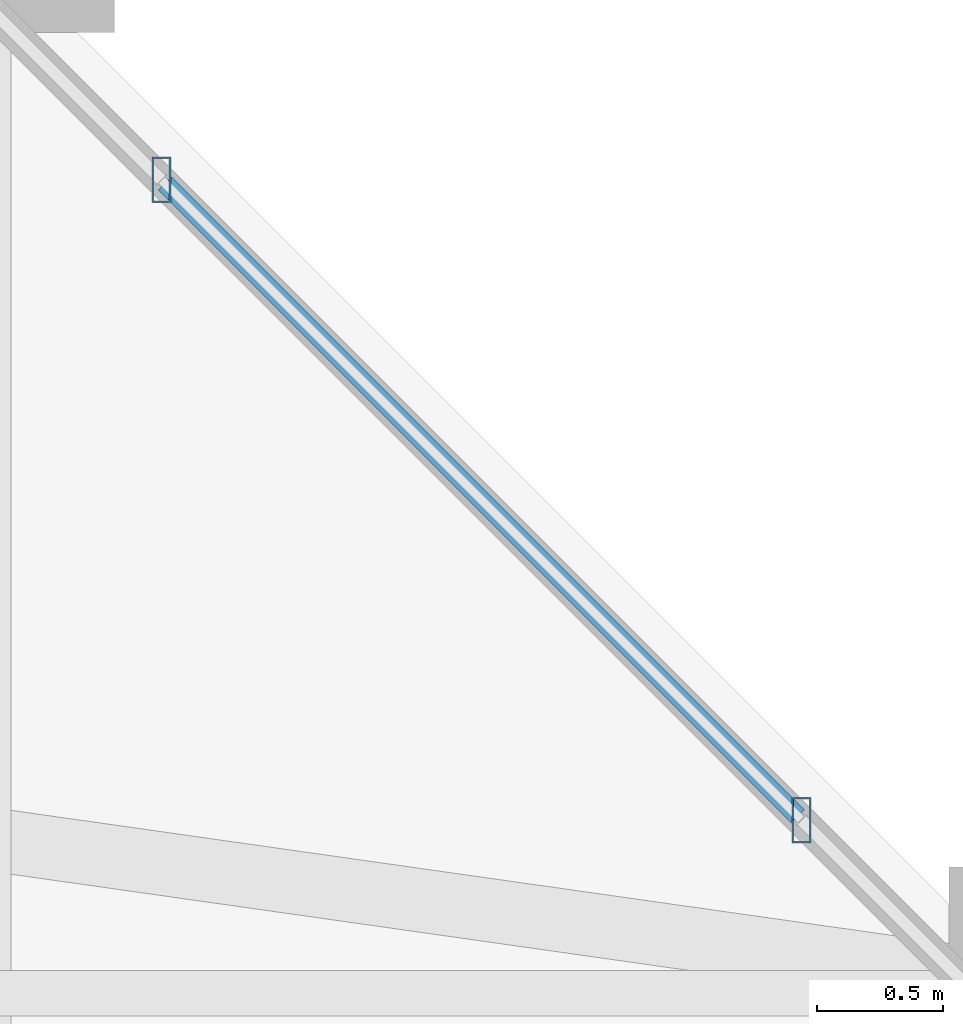
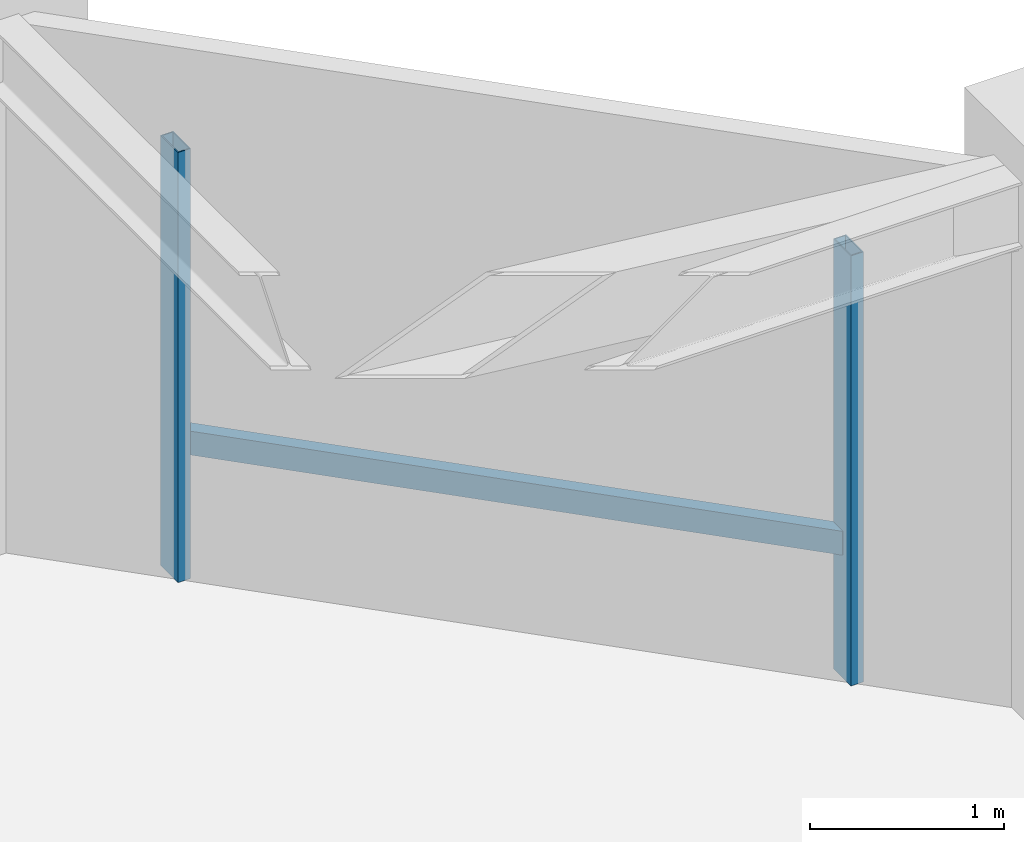
# One storey, part 9 of 31: 3 members, 1 element without a shape of its own.
"""IFC4 building model written with IfcOpenShell, lengths in metres."""

from ifc_helpers import new_model, si_unit, direction, frame, origin, origin_2d, place, context, subcontext, project, spatial, hollow_rectangle, extrude, material, material_profile, profile_set, type_object, element, aggregate, save


model = new_model("IFC4")

# Units and contexts
model_context = context("Model", 3, precision=1e-05, world=origin(), true_north=direction((0.0, 1.0)))
body_context = subcontext(model_context, "Body", "Model", "MODEL_VIEW")
ifc_project = project(units=[si_unit("LENGTHUNIT", "METRE"), si_unit("AREAUNIT", "SQUARE_METRE"), si_unit("VOLUMEUNIT", "CUBIC_METRE"), si_unit("PLANEANGLEUNIT", "RADIAN"), si_unit("MASSUNIT", "GRAM", prefix="KILO")], contexts=[model_context])

# Site, building, storey
site_placement = place(None, origin())
site = spatial("IfcSite", under=ifc_project, at=site_placement, CompositionType="ELEMENT")
building_placement = place(site_placement, origin())
building = spatial("IfcBuilding", under=site, at=building_placement, Name="Thornwick Lancets Civic Towers", CompositionType="ELEMENT")
storey_placement = place(building_placement, frame((0.0, 0.0, 236.699951171875)))
storey = spatial("IfcBuildingStorey", under=building, at=storey_placement, Name="L63", CompositionType="ELEMENT", Elevation=236.699951171875)

# Curtain wall, members
ifc_material_1 = material(Name="High-zone chamfered-corner unitised glass curtain wall", Category="glass")
curtain_wall_type = type_object("IfcCurtainWallType", Name="CW_SYS_05", PredefinedType="NOTDEFINED", material=ifc_material_1)
curtain_wall_placement = place(storey_placement, origin())
curtain_wall = element("IfcCurtainWall", 1, at=curtain_wall_placement, inside=storey, type_object=curtain_wall_type, Name="L63 Curtain Wall CW-L63-A-E3", PredefinedType="NOTDEFINED")
ifc_material_2 = material(Name="Thermally broken bronze aluminium S355", Category="steel")
ifc_material_profile_1 = material_profile(ifc_material_2, hollow_rectangle(XDim=0.074951171875, YDim=0.179931640625, WallThickness=0.006103515625, at=origin_2d()), Name="RHS 180x75x6")
ifc_profile_set_1 = profile_set([ifc_material_profile_1], Name="Thermally broken bronze aluminium S355")
member_type_1 = type_object("IfcMemberType", Name="CW_MUL_180", PredefinedType="MULLION", material=ifc_profile_set_1)
member_1_placement = place(storey_placement, frame((41.71728515625, 40.68505859375, 0.0), z_axis=(0.0, 0.0, 1.0), x_axis=(1.0, 0.0, 0.0)))
member_1 = element("IfcMember", 2, at=member_1_placement, type_object=member_type_1, Name="CW-L63-A-E3 Mullion 0", PredefinedType="MULLION", context=body_context, shape_type="SweptSolid", body=[
    extrude(hollow_rectangle(XDim=0.074951171875, YDim=0.179931640625, WallThickness=0.006103515625, at=origin_2d()), origin(), (0.0, 0.0, 1.0), 2.699951171875),
])
member_2_placement = place(storey_placement, frame((39.18505859375, 43.21728515625, 0.0), z_axis=(0.0, 0.0, 1.0), x_axis=(1.0, 0.0, 0.0)))
member_2 = element("IfcMember", 3, at=member_2_placement, type_object=member_type_1, Name="CW-L63-A-E3 Mullion 1", PredefinedType="MULLION", context=body_context, shape_type="SweptSolid", body=[
    extrude(hollow_rectangle(XDim=0.074951171875, YDim=0.179931640625, WallThickness=0.006103515625, at=origin_2d()), origin(), (0.0, 0.0, 1.0), 2.699951171875),
])
ifc_material_profile_2 = material_profile(ifc_material_2, hollow_rectangle(XDim=0.074951171875, YDim=0.14990234375, WallThickness=0.0048828125, at=origin_2d()), Name="RHS 150x75x5")
ifc_profile_set_2 = profile_set([ifc_material_profile_2], Name="Thermally broken bronze aluminium S355")
member_type_2 = type_object("IfcMemberType", Name="CW_TRN_150", PredefinedType="USERDEFINED", material=ifc_profile_set_2)
member_3_placement = place(storey_placement, frame((41.703125, 40.69921875, 0.85009765625), z_axis=(-0.707106781187, 0.707106781187, 0.0), x_axis=(-0.707106781187, -0.707106781187, 0.0)))
member_3 = element("IfcMember", 4, at=member_3_placement, type_object=member_type_2, Name="CW-L63-A-E3 Transom 0", ObjectType="TRANSOM", PredefinedType="USERDEFINED", context=body_context, shape_type="SweptSolid", body=[
    extrude(hollow_rectangle(XDim=0.074951171875, YDim=0.14990234375, WallThickness=0.0048828125, at=origin_2d()), origin(), (0.0, 0.0, 1.0), 3.541015625),
])
aggregate(curtain_wall, [member_1, member_2, member_3])

save(model, "model.ifc")
